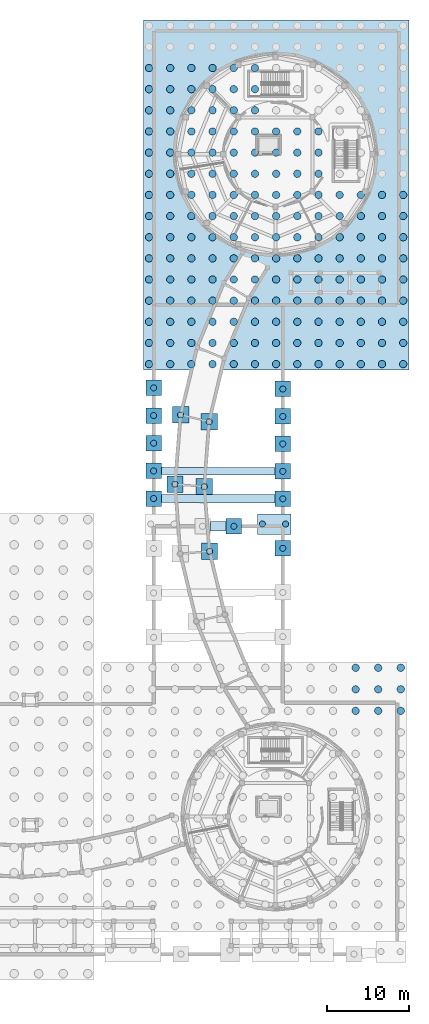
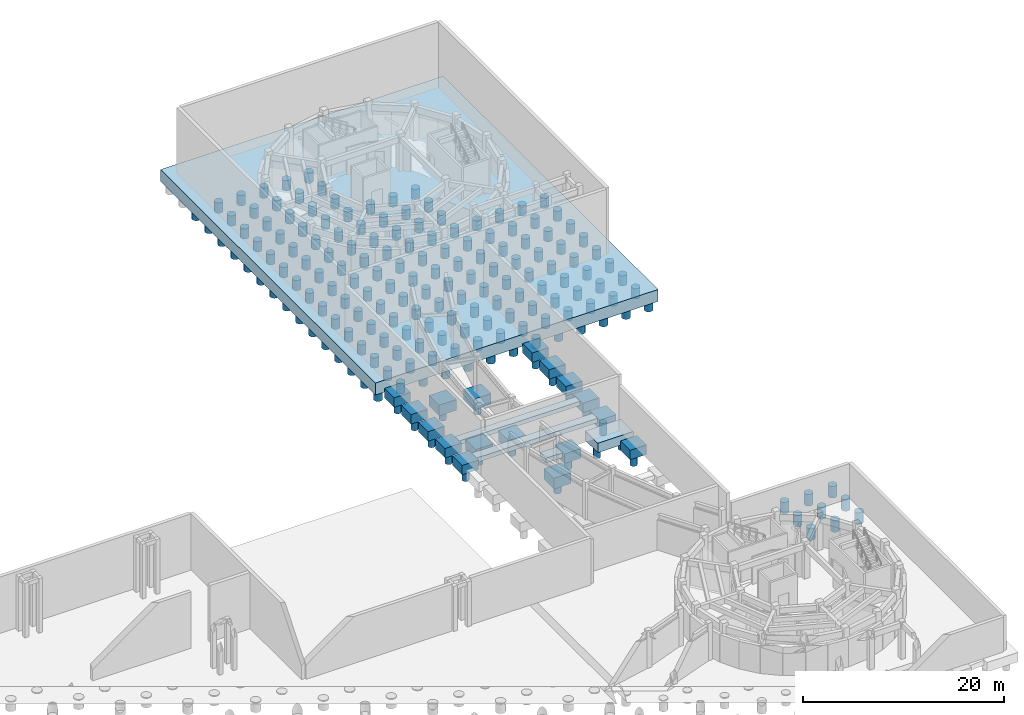
# One storey, part 7 of 57: 190 piles, 22 footings.
"""IFC4 building model written with IfcOpenShell, lengths in metres."""

from ifc_helpers import new_model, si_unit, direction, frame, origin, origin_2d, place, context, subcontext, project, spatial, rectangle, circle, extrude, material, material_profile, profile_set, type_object, element, save


model = new_model("IFC4")

# Units and contexts
model_context = context("Model", 3, precision=1e-05, world=origin(), true_north=direction((0.0, 1.0)))
body_context = subcontext(model_context, "Body", "Model", "MODEL_VIEW")
ifc_project = project(units=[si_unit("LENGTHUNIT", "METRE"), si_unit("AREAUNIT", "SQUARE_METRE"), si_unit("VOLUMEUNIT", "CUBIC_METRE"), si_unit("PLANEANGLEUNIT", "RADIAN"), si_unit("MASSUNIT", "GRAM", prefix="KILO")], contexts=[model_context])

# Site, building, storey
site_placement = place(None, origin())
site = spatial("IfcSite", under=ifc_project, at=site_placement, CompositionType="ELEMENT")
building_placement = place(site_placement, origin())
building = spatial("IfcBuilding", under=site, at=building_placement, Name="Aldenvaro Health Centre", CompositionType="ELEMENT")
storey_placement = place(building_placement, frame((0.0, 0.0, -4.550048828125)))
storey = spatial("IfcBuildingStorey", under=building, at=storey_placement, Name="B1", CompositionType="ELEMENT", Elevation=-4.550048828125)

# Footings
ifc_material = material(Name="Concrete f'c 40 MPa", Category="concrete")
footing_type_1 = type_object("IfcFootingType", Name="FTG-PC-190x190x115", PredefinedType="PILE_CAP", material=ifc_material)
for number, where, z_axis, x_axis, name in (
    (1, (155.39990234375, 51.300048828125, -1.14990234375), (0.0, 0.0, 1.0), (1.0, 0.0, 0.0), "Pile Cap PC-20 #043"),
    (2, (155.39990234375, 57.35888671875, -1.14990234375), (0.0, 0.0, 1.0), (1.0, 0.0, 0.0), "Pile Cap PC-20 #068"),
    (3, (155.39990234375, 60.718994140625, -1.14990234375), (0.0, 0.0, 1.0), (1.0, 0.0, 0.0), "Pile Cap PC-20 #069"),
    (4, (155.39990234375, 64.0791015625, -1.14990234375), (0.0, 0.0, 1.0), (1.0, 0.0, 0.0), "Pile Cap PC-20 #070"),
    (5, (155.39990234375, 67.43798828125, -1.14990234375), (0.0, 0.0, 1.0), (1.0, 0.0, 0.0), "Pile Cap PC-20 #071"),
    (6, (155.39990234375, 70.797119140625, -1.14990234375), (0.0, 0.0, 1.0), (1.0, 0.0, 0.0), "Pile Cap PC-20 #072"),
    (7, (139.60009765625, 57.387939453125, -1.14990234375), (0.0, 0.0, 1.0), (1.0, 0.0, 0.0), "Pile Cap PC-20 #081"),
    (8, (139.60009765625, 60.77490234375, -1.14990234375), (0.0, 0.0, 1.0), (1.0, 0.0, 0.0), "Pile Cap PC-20 #082"),
    (9, (139.60009765625, 64.162109375, -1.14990234375), (0.0, 0.0, 1.0), (1.0, 0.0, 0.0), "Pile Cap PC-20 #083"),
    (10, (139.60009765625, 67.550048828125, -1.14990234375), (0.0, 0.0, 1.0), (1.0, 0.0, 0.0), "Pile Cap PC-20 #084"),
    (11, (139.60009765625, 70.93798828125, -1.14990234375), (0.0, 0.0, 1.0), (1.0, 0.0, 0.0), "Pile Cap PC-20 #085"),
    (12, (149.4189453125, 54.0, -1.14990234375), (0.0, 0.0, 1.0), (1.0, 0.0, 0.0), "Pile Cap PC-20 #089"),
):
    element("IfcFooting", number, at=place(storey_placement, frame(where, z_axis=z_axis, x_axis=x_axis)), inside=storey, type_object=footing_type_1, Name=name, PredefinedType="PILE_CAP", context=body_context, shape_type="SweptSolid", body=[
        extrude(rectangle(XDim=1.89990234375, YDim=1.89990234375, at=origin_2d()), origin(), (0.0, 0.0, 1.0), 1.14990234375),
    ])
footing_type_2 = type_object("IfcFootingType", Name="FTG-PC-200x200x130", PredefinedType="PILE_CAP", material=ifc_material)
for number, where, z_axis, x_axis, name in (
    (13, (146.39599609375, 66.79296875, -1.2998046875), (0.0, 0.0, 1.0), (1.0, 0.0, 0.0), "Pile Cap PC-12 #027"),
    (14, (142.89599609375, 67.633056640625, -1.2998046875), (0.0, 0.0, 1.0), (1.0, 0.0, 0.0), "Pile Cap PC-12 #028"),
    (15, (145.7939453125, 58.85888671875, -1.2998046875), (0.0, 0.0, 1.0), (1.0, 0.0, 0.0), "Pile Cap PC-12 #029"),
    (16, (142.2060546875, 59.14111328125, -1.2998046875), (0.0, 0.0, 1.0), (1.0, 0.0, 0.0), "Pile Cap PC-12 #030"),
    (17, (146.43994140625, 50.927978515625, -1.2998046875), (0.0, 0.0, 1.0), (1.0, 0.0, 0.0), "Pile Cap PC-12 #031"),
):
    element("IfcFooting", number, at=place(storey_placement, frame(where, z_axis=z_axis, x_axis=x_axis)), inside=storey, type_object=footing_type_2, Name=name, PredefinedType="PILE_CAP", context=body_context, shape_type="SweptSolid", body=[
        extrude(rectangle(XDim=2.0, YDim=2.0, at=origin_2d()), origin(), (0.0, 0.0, 1.0), 1.300048828125),
    ])
footing_type_3 = type_object("IfcFootingType", Name="FTG-PC-3250x4280x145", PredefinedType="PILE_CAP", material=ifc_material)
footing_1_placement = place(storey_placement, frame((154.5830078125, 94.5400390625, -1.44970703125), z_axis=(0.0, 0.0, 1.0), x_axis=(1.0, 0.0, 0.0)))
element("IfcFooting", 18, at=footing_1_placement, inside=storey, type_object=footing_type_3, Name="Pile Cap PC-02 #002", PredefinedType="PILE_CAP", context=body_context, shape_type="SweptSolid", body=[
    extrude(rectangle(XDim=32.5, YDim=42.800048828125, at=origin_2d()), origin(), (0.0, 0.0, 1.0), 1.449951171875),
])
footing_type_4 = type_object("IfcFootingType", Name="FTG-PC-410x250x115", PredefinedType="PILE_CAP", material=ifc_material)
footing_2_placement = place(storey_placement, frame((154.3291015625, 54.26904296875, -1.14990234375), z_axis=(0.0, 0.0, 1.0), x_axis=(1.0, 0.0, 0.0)))
element("IfcFooting", 19, at=footing_2_placement, inside=storey, type_object=footing_type_4, Name="Pile Cap PC-23 #067", PredefinedType="PILE_CAP", context=body_context, shape_type="SweptSolid", body=[
    extrude(rectangle(XDim=4.10009765625, YDim=2.5, at=origin_2d()), origin(), (0.0, 0.0, 1.0), 1.14990234375),
])
ifc_material_profile_1 = material_profile(ifc_material, rectangle(XDim=1.0, YDim=0.550048828125, at=origin_2d()), Name="SF 1000x550", Category="concrete")
ifc_profile_set_1 = profile_set([ifc_material_profile_1], Name="Concrete f'c 40 MPa")
footing_type_5 = type_object("IfcFootingType", Name="FTG-SF-1000x550", PredefinedType="STRIP_FOOTING", material=ifc_profile_set_1)
footing_3_placement = place(storey_placement, frame((140.550048828125, 57.385986328125, -0.324951171875), z_axis=(0.999998395182, -0.001791545233, 0.0), x_axis=(0.001791545233, 0.999998395182, 0.0)))
element("IfcFooting", 20, at=footing_3_placement, inside=storey, type_object=footing_type_5, Name="Stepped Retaining Strip Footing SF-05", PredefinedType="STRIP_FOOTING", context=body_context, shape_type="SweptSolid", body=[
    extrude(rectangle(XDim=1.0, YDim=0.550048828125, at=origin_2d()), origin(), (0.0, 0.0, 1.0), 13.89990234375),
])
ifc_material_profile_2 = material_profile(ifc_material, rectangle(XDim=1.199951171875, YDim=0.60009765625, at=origin_2d()), Name="SF 1200x600", Category="concrete")
ifc_profile_set_2 = profile_set([ifc_material_profile_2], Name="Concrete f'c 40 MPa")
footing_type_6 = type_object("IfcFootingType", Name="FTG-SF-1200x600", PredefinedType="STRIP_FOOTING", material=ifc_profile_set_2)
footing_4_placement = place(storey_placement, frame((146.531005859375, 54.0, -0.349853515625), z_axis=(1.0, 0.0, 0.0), x_axis=(0.0, 1.0, 0.0)))
element("IfcFooting", 21, at=footing_4_placement, inside=storey, type_object=footing_type_6, Name="Stepped Retaining Strip Footing SF-04", PredefinedType="STRIP_FOOTING", context=body_context, shape_type="SweptSolid", body=[
    extrude(rectangle(XDim=1.199951171875, YDim=0.60009765625, at=origin_2d()), origin(), (0.0, 0.0, 1.0), 1.93798828125),
])
ifc_material_profile_3 = material_profile(ifc_material, rectangle(XDim=0.89990234375, YDim=0.5, at=origin_2d()), Name="SF 900x500", Category="concrete")
ifc_profile_set_3 = profile_set([ifc_material_profile_3], Name="Concrete f'c 40 MPa")
footing_type_7 = type_object("IfcFootingType", Name="FTG-SF-900x500", PredefinedType="STRIP_FOOTING", material=ifc_profile_set_3)
footing_5_placement = place(storey_placement, frame((154.449951171875, 60.721923828125, -0.300048828125), z_axis=(-0.999993517685, 0.003600637073, 0.0), x_axis=(-0.003600637073, -0.999993517685, 0.0)))
element("IfcFooting", 22, at=footing_5_placement, inside=storey, type_object=footing_type_7, Name="Stepped Retaining Strip Footing SF-06", PredefinedType="STRIP_FOOTING", context=body_context, shape_type="SweptSolid", body=[
    extrude(rectangle(XDim=0.89990234375, YDim=0.5, at=origin_2d()), origin(), (0.0, 0.0, 1.0), 13.89990234375),
])

# Piles
ifc_material_profile_4 = material_profile(ifc_material, circle(Radius=0.375, at=origin_2d()), Name="PILE D750", Category="concrete")
ifc_profile_set_4 = profile_set([ifc_material_profile_4], Name="Concrete f'c 40 MPa")
pile_type_1 = type_object("IfcPileType", Name="PILE-D750", PredefinedType="BORED", material=ifc_profile_set_4)
for number, where, z_axis, x_axis, name in (
    (23, (146.39599609375, 66.79296875, -1.199951171875), (0.0, 0.0, -1.0), (1.0, 0.0, 0.0), "Bored Pile BP-01 #1352"),
    (24, (142.89599609375, 67.633056640625, -1.199951171875), (0.0, 0.0, -1.0), (1.0, 0.0, 0.0), "Bored Pile BP-01 #1353"),
    (25, (145.7939453125, 58.85888671875, -1.199951171875), (0.0, 0.0, -1.0), (1.0, 0.0, 0.0), "Bored Pile BP-01 #1354"),
    (26, (142.2060546875, 59.14111328125, -1.199951171875), (0.0, 0.0, -1.0), (1.0, 0.0, 0.0), "Bored Pile BP-01 #1355"),
    (27, (146.43994140625, 50.927978515625, -1.199951171875), (0.0, 0.0, -1.0), (1.0, 0.0, 0.0), "Bored Pile BP-01 #1356"),
):
    element("IfcPile", number, at=place(storey_placement, frame(where, z_axis=z_axis, x_axis=x_axis)), inside=storey, type_object=pile_type_1, Name=name, PredefinedType="BORED", context=body_context, shape_type="SweptSolid", body=[
        extrude(circle(Radius=0.375, at=origin_2d()), origin(), (0.0, 0.0, 1.0), 1.39990234375),
    ])
for number, where, z_axis, x_axis, name in (
    (28, (155.39990234375, 51.300048828125, -1.050048828125), (0.0, 0.0, -1.0), (1.0, 0.0, 0.0), "Bored Pile BP-01 #1387"),
    (29, (152.904052734375, 54.26904296875, -1.050048828125), (0.0, 0.0, -1.0), (1.0, 0.0, 0.0), "Bored Pile BP-01 #1411"),
    (30, (155.75390625, 54.26904296875, -1.050048828125), (0.0, 0.0, -1.0), (1.0, 0.0, 0.0), "Bored Pile BP-01 #1412"),
    (31, (155.39990234375, 57.35888671875, -1.050048828125), (0.0, 0.0, -1.0), (1.0, 0.0, 0.0), "Bored Pile BP-01 #1413"),
    (32, (155.39990234375, 60.718994140625, -1.050048828125), (0.0, 0.0, -1.0), (1.0, 0.0, 0.0), "Bored Pile BP-01 #1414"),
    (33, (155.39990234375, 64.0791015625, -1.050048828125), (0.0, 0.0, -1.0), (1.0, 0.0, 0.0), "Bored Pile BP-01 #1415"),
    (34, (155.39990234375, 67.43798828125, -1.050048828125), (0.0, 0.0, -1.0), (1.0, 0.0, 0.0), "Bored Pile BP-01 #1416"),
    (35, (155.39990234375, 70.797119140625, -1.050048828125), (0.0, 0.0, -1.0), (1.0, 0.0, 0.0), "Bored Pile BP-01 #1417"),
    (36, (139.60009765625, 57.387939453125, -1.050048828125), (0.0, 0.0, -1.0), (1.0, 0.0, 0.0), "Bored Pile BP-01 #1427"),
    (37, (139.60009765625, 60.77490234375, -1.050048828125), (0.0, 0.0, -1.0), (1.0, 0.0, 0.0), "Bored Pile BP-01 #1428"),
    (38, (139.60009765625, 64.162109375, -1.050048828125), (0.0, 0.0, -1.0), (1.0, 0.0, 0.0), "Bored Pile BP-01 #1429"),
    (39, (139.60009765625, 67.550048828125, -1.050048828125), (0.0, 0.0, -1.0), (1.0, 0.0, 0.0), "Bored Pile BP-01 #1430"),
    (40, (139.60009765625, 70.93798828125, -1.050048828125), (0.0, 0.0, -1.0), (1.0, 0.0, 0.0), "Bored Pile BP-01 #1431"),
    (41, (149.4189453125, 54.0, -1.050048828125), (0.0, 0.0, -1.0), (1.0, 0.0, 0.0), "Bored Pile BP-01 #1435"),
):
    element("IfcPile", number, at=place(storey_placement, frame(where, z_axis=z_axis, x_axis=x_axis)), inside=storey, type_object=pile_type_1, Name=name, PredefinedType="BORED", context=body_context, shape_type="SweptSolid", body=[
        extrude(circle(Radius=0.375, at=origin_2d()), origin(), (0.0, 0.0, 1.0), 1.550048828125),
    ])
ifc_material_profile_5 = material_profile(ifc_material, circle(Radius=0.449951171875, at=origin_2d()), Name="PILE D900", Category="concrete")
ifc_profile_set_5 = profile_set([ifc_material_profile_5], Name="Concrete f'c 40 MPa")
pile_type_2 = type_object("IfcPileType", Name="PILE-D900", PredefinedType="BORED", material=ifc_profile_set_5)
for number, where, z_axis, x_axis, name in (
    (42, (139.032958984375, 73.840087890625, -1.349853515625), (0.0, 0.0, -1.0), (1.0, 0.0, 0.0), "Bored Pile BP-02 #0837"),
    (43, (139.032958984375, 76.427978515625, -1.349853515625), (0.0, 0.0, -1.0), (1.0, 0.0, 0.0), "Bored Pile BP-02 #0838"),
    (44, (139.032958984375, 79.014892578125, -1.349853515625), (0.0, 0.0, -1.0), (1.0, 0.0, 0.0), "Bored Pile BP-02 #0839"),
    (45, (139.032958984375, 81.60302734375, -1.349853515625), (0.0, 0.0, -1.0), (1.0, 0.0, 0.0), "Bored Pile BP-02 #0840"),
    (46, (139.032958984375, 84.18994140625, -1.349853515625), (0.0, 0.0, -1.0), (1.0, 0.0, 0.0), "Bored Pile BP-02 #0841"),
    (47, (139.032958984375, 86.778076171875, -1.349853515625), (0.0, 0.0, -1.0), (1.0, 0.0, 0.0), "Bored Pile BP-02 #0842"),
    (48, (139.032958984375, 89.364990234375, -1.349853515625), (0.0, 0.0, -1.0), (1.0, 0.0, 0.0), "Bored Pile BP-02 #0843"),
    (49, (139.032958984375, 91.952880859375, -1.349853515625), (0.0, 0.0, -1.0), (1.0, 0.0, 0.0), "Bored Pile BP-02 #0844"),
    (50, (139.032958984375, 94.5400390625, -1.349853515625), (0.0, 0.0, -1.0), (1.0, 0.0, 0.0), "Bored Pile BP-02 #0845"),
    (51, (139.032958984375, 97.126953125, -1.349853515625), (0.0, 0.0, -1.0), (1.0, 0.0, 0.0), "Bored Pile BP-02 #0846"),
    (52, (139.032958984375, 99.715087890625, -1.349853515625), (0.0, 0.0, -1.0), (1.0, 0.0, 0.0), "Bored Pile BP-02 #0847"),
    (53, (139.032958984375, 102.302978515625, -1.349853515625), (0.0, 0.0, -1.0), (1.0, 0.0, 0.0), "Bored Pile BP-02 #0848"),
    (54, (139.032958984375, 104.889892578125, -1.349853515625), (0.0, 0.0, -1.0), (1.0, 0.0, 0.0), "Bored Pile BP-02 #0849"),
    (55, (139.032958984375, 107.47802734375, -1.349853515625), (0.0, 0.0, -1.0), (1.0, 0.0, 0.0), "Bored Pile BP-02 #0850"),
    (56, (139.032958984375, 110.06494140625, -1.349853515625), (0.0, 0.0, -1.0), (1.0, 0.0, 0.0), "Bored Pile BP-02 #0851"),
    (57, (141.625, 73.840087890625, -1.349853515625), (0.0, 0.0, -1.0), (1.0, 0.0, 0.0), "Bored Pile BP-02 #0854"),
    (58, (141.625, 76.427978515625, -1.349853515625), (0.0, 0.0, -1.0), (1.0, 0.0, 0.0), "Bored Pile BP-02 #0855"),
    (59, (141.625, 79.014892578125, -1.349853515625), (0.0, 0.0, -1.0), (1.0, 0.0, 0.0), "Bored Pile BP-02 #0856"),
    (60, (141.625, 81.60302734375, -1.349853515625), (0.0, 0.0, -1.0), (1.0, 0.0, 0.0), "Bored Pile BP-02 #0857"),
    (61, (141.625, 84.18994140625, -1.349853515625), (0.0, 0.0, -1.0), (1.0, 0.0, 0.0), "Bored Pile BP-02 #0858"),
    (62, (141.625, 86.778076171875, -1.349853515625), (0.0, 0.0, -1.0), (1.0, 0.0, 0.0), "Bored Pile BP-02 #0859"),
    (63, (141.625, 89.364990234375, -1.349853515625), (0.0, 0.0, -1.0), (1.0, 0.0, 0.0), "Bored Pile BP-02 #0860"),
    (64, (141.625, 91.952880859375, -1.349853515625), (0.0, 0.0, -1.0), (1.0, 0.0, 0.0), "Bored Pile BP-02 #0861"),
    (65, (141.625, 94.5400390625, -1.349853515625), (0.0, 0.0, -1.0), (1.0, 0.0, 0.0), "Bored Pile BP-02 #0862"),
    (66, (141.625, 97.126953125, -1.349853515625), (0.0, 0.0, -1.0), (1.0, 0.0, 0.0), "Bored Pile BP-02 #0863"),
    (67, (141.625, 99.715087890625, -1.349853515625), (0.0, 0.0, -1.0), (1.0, 0.0, 0.0), "Bored Pile BP-02 #0864"),
    (68, (141.625, 102.302978515625, -1.349853515625), (0.0, 0.0, -1.0), (1.0, 0.0, 0.0), "Bored Pile BP-02 #0865"),
    (69, (141.625, 104.889892578125, -1.349853515625), (0.0, 0.0, -1.0), (1.0, 0.0, 0.0), "Bored Pile BP-02 #0866"),
    (70, (141.625, 107.47802734375, -1.349853515625), (0.0, 0.0, -1.0), (1.0, 0.0, 0.0), "Bored Pile BP-02 #0867"),
    (71, (141.625, 110.06494140625, -1.349853515625), (0.0, 0.0, -1.0), (1.0, 0.0, 0.0), "Bored Pile BP-02 #0868"),
    (72, (144.216064453125, 73.840087890625, -1.349853515625), (0.0, 0.0, -1.0), (1.0, 0.0, 0.0), "Bored Pile BP-02 #0871"),
    (73, (144.216064453125, 76.427978515625, -1.349853515625), (0.0, 0.0, -1.0), (1.0, 0.0, 0.0), "Bored Pile BP-02 #0872"),
    (74, (144.216064453125, 79.014892578125, -1.349853515625), (0.0, 0.0, -1.0), (1.0, 0.0, 0.0), "Bored Pile BP-02 #0873"),
    (75, (144.216064453125, 81.60302734375, -1.349853515625), (0.0, 0.0, -1.0), (1.0, 0.0, 0.0), "Bored Pile BP-02 #0874"),
    (76, (144.216064453125, 84.18994140625, -1.349853515625), (0.0, 0.0, -1.0), (1.0, 0.0, 0.0), "Bored Pile BP-02 #0875"),
    (77, (144.216064453125, 86.778076171875, -1.349853515625), (0.0, 0.0, -1.0), (1.0, 0.0, 0.0), "Bored Pile BP-02 #0876"),
    (78, (144.216064453125, 89.364990234375, -1.349853515625), (0.0, 0.0, -1.0), (1.0, 0.0, 0.0), "Bored Pile BP-02 #0877"),
    (79, (144.216064453125, 91.952880859375, -1.349853515625), (0.0, 0.0, -1.0), (1.0, 0.0, 0.0), "Bored Pile BP-02 #0878"),
    (80, (144.216064453125, 94.5400390625, -1.349853515625), (0.0, 0.0, -1.0), (1.0, 0.0, 0.0), "Bored Pile BP-02 #0879"),
    (81, (144.216064453125, 97.126953125, -1.349853515625), (0.0, 0.0, -1.0), (1.0, 0.0, 0.0), "Bored Pile BP-02 #0880"),
    (82, (144.216064453125, 99.715087890625, -1.349853515625), (0.0, 0.0, -1.0), (1.0, 0.0, 0.0), "Bored Pile BP-02 #0881"),
    (83, (144.216064453125, 102.302978515625, -1.349853515625), (0.0, 0.0, -1.0), (1.0, 0.0, 0.0), "Bored Pile BP-02 #0882"),
    (84, (144.216064453125, 104.889892578125, -1.349853515625), (0.0, 0.0, -1.0), (1.0, 0.0, 0.0), "Bored Pile BP-02 #0883"),
    (85, (144.216064453125, 107.47802734375, -1.349853515625), (0.0, 0.0, -1.0), (1.0, 0.0, 0.0), "Bored Pile BP-02 #0884"),
    (86, (144.216064453125, 110.06494140625, -1.349853515625), (0.0, 0.0, -1.0), (1.0, 0.0, 0.0), "Bored Pile BP-02 #0885"),
    (87, (146.80810546875, 73.840087890625, -1.349853515625), (0.0, 0.0, -1.0), (1.0, 0.0, 0.0), "Bored Pile BP-02 #0888"),
    (88, (146.80810546875, 76.427978515625, -1.349853515625), (0.0, 0.0, -1.0), (1.0, 0.0, 0.0), "Bored Pile BP-02 #0889"),
    (89, (146.80810546875, 79.014892578125, -1.349853515625), (0.0, 0.0, -1.0), (1.0, 0.0, 0.0), "Bored Pile BP-02 #0890"),
    (90, (146.80810546875, 81.60302734375, -1.349853515625), (0.0, 0.0, -1.0), (1.0, 0.0, 0.0), "Bored Pile BP-02 #0891"),
    (91, (146.80810546875, 84.18994140625, -1.349853515625), (0.0, 0.0, -1.0), (1.0, 0.0, 0.0), "Bored Pile BP-02 #0892"),
    (92, (146.80810546875, 86.778076171875, -1.349853515625), (0.0, 0.0, -1.0), (1.0, 0.0, 0.0), "Bored Pile BP-02 #0893"),
    (93, (146.80810546875, 89.364990234375, -1.349853515625), (0.0, 0.0, -1.0), (1.0, 0.0, 0.0), "Bored Pile BP-02 #0894"),
    (94, (146.80810546875, 91.952880859375, -1.349853515625), (0.0, 0.0, -1.0), (1.0, 0.0, 0.0), "Bored Pile BP-02 #0895"),
    (95, (146.80810546875, 94.5400390625, -1.349853515625), (0.0, 0.0, -1.0), (1.0, 0.0, 0.0), "Bored Pile BP-02 #0896"),
    (96, (146.80810546875, 97.126953125, -1.349853515625), (0.0, 0.0, -1.0), (1.0, 0.0, 0.0), "Bored Pile BP-02 #0897"),
    (97, (146.80810546875, 99.715087890625, -1.349853515625), (0.0, 0.0, -1.0), (1.0, 0.0, 0.0), "Bored Pile BP-02 #0898"),
    (98, (146.80810546875, 102.302978515625, -1.349853515625), (0.0, 0.0, -1.0), (1.0, 0.0, 0.0), "Bored Pile BP-02 #0899"),
    (99, (146.80810546875, 104.889892578125, -1.349853515625), (0.0, 0.0, -1.0), (1.0, 0.0, 0.0), "Bored Pile BP-02 #0900"),
    (100, (146.80810546875, 107.47802734375, -1.349853515625), (0.0, 0.0, -1.0), (1.0, 0.0, 0.0), "Bored Pile BP-02 #0901"),
    (101, (146.80810546875, 110.06494140625, -1.349853515625), (0.0, 0.0, -1.0), (1.0, 0.0, 0.0), "Bored Pile BP-02 #0902"),
    (102, (149.39990234375, 73.840087890625, -1.349853515625), (0.0, 0.0, -1.0), (1.0, 0.0, 0.0), "Bored Pile BP-02 #0905"),
    (103, (149.39990234375, 76.427978515625, -1.349853515625), (0.0, 0.0, -1.0), (1.0, 0.0, 0.0), "Bored Pile BP-02 #0906"),
    (104, (149.39990234375, 79.014892578125, -1.349853515625), (0.0, 0.0, -1.0), (1.0, 0.0, 0.0), "Bored Pile BP-02 #0907"),
    (105, (149.39990234375, 81.60302734375, -1.349853515625), (0.0, 0.0, -1.0), (1.0, 0.0, 0.0), "Bored Pile BP-02 #0908"),
    (106, (149.39990234375, 84.18994140625, -1.349853515625), (0.0, 0.0, -1.0), (1.0, 0.0, 0.0), "Bored Pile BP-02 #0909"),
    (107, (149.39990234375, 86.778076171875, -1.349853515625), (0.0, 0.0, -1.0), (1.0, 0.0, 0.0), "Bored Pile BP-02 #0910"),
    (108, (149.39990234375, 89.364990234375, -1.349853515625), (0.0, 0.0, -1.0), (1.0, 0.0, 0.0), "Bored Pile BP-02 #0911"),
    (109, (149.39990234375, 91.952880859375, -1.349853515625), (0.0, 0.0, -1.0), (1.0, 0.0, 0.0), "Bored Pile BP-02 #0912"),
    (110, (149.39990234375, 94.5400390625, -1.349853515625), (0.0, 0.0, -1.0), (1.0, 0.0, 0.0), "Bored Pile BP-02 #0913"),
    (111, (149.39990234375, 97.126953125, -1.349853515625), (0.0, 0.0, -1.0), (1.0, 0.0, 0.0), "Bored Pile BP-02 #0914"),
    (112, (149.39990234375, 99.715087890625, -1.349853515625), (0.0, 0.0, -1.0), (1.0, 0.0, 0.0), "Bored Pile BP-02 #0915"),
    (113, (149.39990234375, 102.302978515625, -1.349853515625), (0.0, 0.0, -1.0), (1.0, 0.0, 0.0), "Bored Pile BP-02 #0916"),
    (114, (149.39990234375, 104.889892578125, -1.349853515625), (0.0, 0.0, -1.0), (1.0, 0.0, 0.0), "Bored Pile BP-02 #0917"),
    (115, (149.39990234375, 107.47802734375, -1.349853515625), (0.0, 0.0, -1.0), (1.0, 0.0, 0.0), "Bored Pile BP-02 #0918"),
    (116, (149.39990234375, 110.06494140625, -1.349853515625), (0.0, 0.0, -1.0), (1.0, 0.0, 0.0), "Bored Pile BP-02 #0919"),
    (117, (151.990966796875, 73.840087890625, -1.349853515625), (0.0, 0.0, -1.0), (1.0, 0.0, 0.0), "Bored Pile BP-02 #0922"),
    (118, (151.990966796875, 76.427978515625, -1.349853515625), (0.0, 0.0, -1.0), (1.0, 0.0, 0.0), "Bored Pile BP-02 #0923"),
    (119, (151.990966796875, 79.014892578125, -1.349853515625), (0.0, 0.0, -1.0), (1.0, 0.0, 0.0), "Bored Pile BP-02 #0924"),
    (120, (151.990966796875, 81.60302734375, -1.349853515625), (0.0, 0.0, -1.0), (1.0, 0.0, 0.0), "Bored Pile BP-02 #0925"),
    (121, (151.990966796875, 84.18994140625, -1.349853515625), (0.0, 0.0, -1.0), (1.0, 0.0, 0.0), "Bored Pile BP-02 #0926"),
    (122, (151.990966796875, 86.778076171875, -1.349853515625), (0.0, 0.0, -1.0), (1.0, 0.0, 0.0), "Bored Pile BP-02 #0927"),
    (123, (151.990966796875, 89.364990234375, -1.349853515625), (0.0, 0.0, -1.0), (1.0, 0.0, 0.0), "Bored Pile BP-02 #0928"),
    (124, (151.990966796875, 91.952880859375, -1.349853515625), (0.0, 0.0, -1.0), (1.0, 0.0, 0.0), "Bored Pile BP-02 #0929"),
    (125, (151.990966796875, 94.5400390625, -1.349853515625), (0.0, 0.0, -1.0), (1.0, 0.0, 0.0), "Bored Pile BP-02 #0930"),
    (126, (151.990966796875, 97.126953125, -1.349853515625), (0.0, 0.0, -1.0), (1.0, 0.0, 0.0), "Bored Pile BP-02 #0931"),
    (127, (151.990966796875, 99.715087890625, -1.349853515625), (0.0, 0.0, -1.0), (1.0, 0.0, 0.0), "Bored Pile BP-02 #0932"),
    (128, (151.990966796875, 102.302978515625, -1.349853515625), (0.0, 0.0, -1.0), (1.0, 0.0, 0.0), "Bored Pile BP-02 #0933"),
    (129, (151.990966796875, 104.889892578125, -1.349853515625), (0.0, 0.0, -1.0), (1.0, 0.0, 0.0), "Bored Pile BP-02 #0934"),
    (130, (151.990966796875, 107.47802734375, -1.349853515625), (0.0, 0.0, -1.0), (1.0, 0.0, 0.0), "Bored Pile BP-02 #0935"),
    (131, (151.990966796875, 110.06494140625, -1.349853515625), (0.0, 0.0, -1.0), (1.0, 0.0, 0.0), "Bored Pile BP-02 #0936"),
    (132, (154.5830078125, 73.840087890625, -1.349853515625), (0.0, 0.0, -1.0), (1.0, 0.0, 0.0), "Bored Pile BP-02 #0939"),
    (133, (154.5830078125, 76.427978515625, -1.349853515625), (0.0, 0.0, -1.0), (1.0, 0.0, 0.0), "Bored Pile BP-02 #0940"),
    (134, (154.5830078125, 79.014892578125, -1.349853515625), (0.0, 0.0, -1.0), (1.0, 0.0, 0.0), "Bored Pile BP-02 #0941"),
    (135, (154.5830078125, 81.60302734375, -1.349853515625), (0.0, 0.0, -1.0), (1.0, 0.0, 0.0), "Bored Pile BP-02 #0942"),
    (136, (154.5830078125, 84.18994140625, -1.349853515625), (0.0, 0.0, -1.0), (1.0, 0.0, 0.0), "Bored Pile BP-02 #0943"),
    (137, (154.5830078125, 86.778076171875, -1.349853515625), (0.0, 0.0, -1.0), (1.0, 0.0, 0.0), "Bored Pile BP-02 #0944"),
    (138, (154.5830078125, 89.364990234375, -1.349853515625), (0.0, 0.0, -1.0), (1.0, 0.0, 0.0), "Bored Pile BP-02 #0945"),
    (139, (154.5830078125, 91.952880859375, -1.349853515625), (0.0, 0.0, -1.0), (1.0, 0.0, 0.0), "Bored Pile BP-02 #0946"),
    (140, (154.5830078125, 94.5400390625, -1.349853515625), (0.0, 0.0, -1.0), (1.0, 0.0, 0.0), "Bored Pile BP-02 #0947"),
    (141, (154.5830078125, 97.126953125, -1.349853515625), (0.0, 0.0, -1.0), (1.0, 0.0, 0.0), "Bored Pile BP-02 #0948"),
    (142, (154.5830078125, 99.715087890625, -1.349853515625), (0.0, 0.0, -1.0), (1.0, 0.0, 0.0), "Bored Pile BP-02 #0949"),
    (143, (154.5830078125, 102.302978515625, -1.349853515625), (0.0, 0.0, -1.0), (1.0, 0.0, 0.0), "Bored Pile BP-02 #0950"),
    (144, (157.175048828125, 73.840087890625, -1.349853515625), (0.0, 0.0, -1.0), (1.0, 0.0, 0.0), "Bored Pile BP-02 #0956"),
    (145, (157.175048828125, 76.427978515625, -1.349853515625), (0.0, 0.0, -1.0), (1.0, 0.0, 0.0), "Bored Pile BP-02 #0957"),
    (146, (157.175048828125, 79.014892578125, -1.349853515625), (0.0, 0.0, -1.0), (1.0, 0.0, 0.0), "Bored Pile BP-02 #0958"),
    (147, (157.175048828125, 81.60302734375, -1.349853515625), (0.0, 0.0, -1.0), (1.0, 0.0, 0.0), "Bored Pile BP-02 #0959"),
    (148, (157.175048828125, 84.18994140625, -1.349853515625), (0.0, 0.0, -1.0), (1.0, 0.0, 0.0), "Bored Pile BP-02 #0960"),
    (149, (157.175048828125, 86.778076171875, -1.349853515625), (0.0, 0.0, -1.0), (1.0, 0.0, 0.0), "Bored Pile BP-02 #0961"),
    (150, (157.175048828125, 89.364990234375, -1.349853515625), (0.0, 0.0, -1.0), (1.0, 0.0, 0.0), "Bored Pile BP-02 #0962"),
    (151, (157.175048828125, 91.952880859375, -1.349853515625), (0.0, 0.0, -1.0), (1.0, 0.0, 0.0), "Bored Pile BP-02 #0963"),
    (152, (157.175048828125, 94.5400390625, -1.349853515625), (0.0, 0.0, -1.0), (1.0, 0.0, 0.0), "Bored Pile BP-02 #0964"),
    (153, (157.175048828125, 97.126953125, -1.349853515625), (0.0, 0.0, -1.0), (1.0, 0.0, 0.0), "Bored Pile BP-02 #0965"),
    (154, (157.175048828125, 99.715087890625, -1.349853515625), (0.0, 0.0, -1.0), (1.0, 0.0, 0.0), "Bored Pile BP-02 #0966"),
    (155, (157.175048828125, 102.302978515625, -1.349853515625), (0.0, 0.0, -1.0), (1.0, 0.0, 0.0), "Bored Pile BP-02 #0967"),
    (156, (159.76611328125, 73.840087890625, -1.349853515625), (0.0, 0.0, -1.0), (1.0, 0.0, 0.0), "Bored Pile BP-02 #0973"),
    (157, (159.76611328125, 76.427978515625, -1.349853515625), (0.0, 0.0, -1.0), (1.0, 0.0, 0.0), "Bored Pile BP-02 #0974"),
    (158, (159.76611328125, 79.014892578125, -1.349853515625), (0.0, 0.0, -1.0), (1.0, 0.0, 0.0), "Bored Pile BP-02 #0975"),
    (159, (159.76611328125, 81.60302734375, -1.349853515625), (0.0, 0.0, -1.0), (1.0, 0.0, 0.0), "Bored Pile BP-02 #0976"),
    (160, (159.76611328125, 84.18994140625, -1.349853515625), (0.0, 0.0, -1.0), (1.0, 0.0, 0.0), "Bored Pile BP-02 #0977"),
    (161, (159.76611328125, 86.778076171875, -1.349853515625), (0.0, 0.0, -1.0), (1.0, 0.0, 0.0), "Bored Pile BP-02 #0978"),
    (162, (159.76611328125, 89.364990234375, -1.349853515625), (0.0, 0.0, -1.0), (1.0, 0.0, 0.0), "Bored Pile BP-02 #0979"),
    (163, (159.76611328125, 91.952880859375, -1.349853515625), (0.0, 0.0, -1.0), (1.0, 0.0, 0.0), "Bored Pile BP-02 #0980"),
    (164, (159.76611328125, 94.5400390625, -1.349853515625), (0.0, 0.0, -1.0), (1.0, 0.0, 0.0), "Bored Pile BP-02 #0981"),
    (165, (159.76611328125, 97.126953125, -1.349853515625), (0.0, 0.0, -1.0), (1.0, 0.0, 0.0), "Bored Pile BP-02 #0982"),
    (166, (159.76611328125, 99.715087890625, -1.349853515625), (0.0, 0.0, -1.0), (1.0, 0.0, 0.0), "Bored Pile BP-02 #0983"),
    (167, (159.76611328125, 102.302978515625, -1.349853515625), (0.0, 0.0, -1.0), (1.0, 0.0, 0.0), "Bored Pile BP-02 #0984"),
    (168, (162.35791015625, 73.840087890625, -1.349853515625), (0.0, 0.0, -1.0), (1.0, 0.0, 0.0), "Bored Pile BP-02 #0990"),
    (169, (162.35791015625, 76.427978515625, -1.349853515625), (0.0, 0.0, -1.0), (1.0, 0.0, 0.0), "Bored Pile BP-02 #0991"),
    (170, (162.35791015625, 79.014892578125, -1.349853515625), (0.0, 0.0, -1.0), (1.0, 0.0, 0.0), "Bored Pile BP-02 #0992"),
    (171, (162.35791015625, 81.60302734375, -1.349853515625), (0.0, 0.0, -1.0), (1.0, 0.0, 0.0), "Bored Pile BP-02 #0993"),
    (172, (162.35791015625, 84.18994140625, -1.349853515625), (0.0, 0.0, -1.0), (1.0, 0.0, 0.0), "Bored Pile BP-02 #0994"),
    (173, (162.35791015625, 86.778076171875, -1.349853515625), (0.0, 0.0, -1.0), (1.0, 0.0, 0.0), "Bored Pile BP-02 #0995"),
    (174, (162.35791015625, 89.364990234375, -1.349853515625), (0.0, 0.0, -1.0), (1.0, 0.0, 0.0), "Bored Pile BP-02 #0996"),
    (175, (162.35791015625, 91.952880859375, -1.349853515625), (0.0, 0.0, -1.0), (1.0, 0.0, 0.0), "Bored Pile BP-02 #0997"),
    (176, (162.35791015625, 94.5400390625, -1.349853515625), (0.0, 0.0, -1.0), (1.0, 0.0, 0.0), "Bored Pile BP-02 #0998"),
    (177, (164.949951171875, 73.840087890625, -1.349853515625), (0.0, 0.0, -1.0), (1.0, 0.0, 0.0), "Bored Pile BP-02 #1007"),
    (178, (164.949951171875, 76.427978515625, -1.349853515625), (0.0, 0.0, -1.0), (1.0, 0.0, 0.0), "Bored Pile BP-02 #1008"),
    (179, (164.949951171875, 79.014892578125, -1.349853515625), (0.0, 0.0, -1.0), (1.0, 0.0, 0.0), "Bored Pile BP-02 #1009"),
    (180, (164.949951171875, 81.60302734375, -1.349853515625), (0.0, 0.0, -1.0), (1.0, 0.0, 0.0), "Bored Pile BP-02 #1010"),
    (181, (164.949951171875, 84.18994140625, -1.349853515625), (0.0, 0.0, -1.0), (1.0, 0.0, 0.0), "Bored Pile BP-02 #1011"),
    (182, (164.949951171875, 86.778076171875, -1.349853515625), (0.0, 0.0, -1.0), (1.0, 0.0, 0.0), "Bored Pile BP-02 #1012"),
    (183, (164.949951171875, 89.364990234375, -1.349853515625), (0.0, 0.0, -1.0), (1.0, 0.0, 0.0), "Bored Pile BP-02 #1013"),
    (184, (164.949951171875, 91.952880859375, -1.349853515625), (0.0, 0.0, -1.0), (1.0, 0.0, 0.0), "Bored Pile BP-02 #1014"),
    (185, (164.949951171875, 94.5400390625, -1.349853515625), (0.0, 0.0, -1.0), (1.0, 0.0, 0.0), "Bored Pile BP-02 #1015"),
    (186, (167.541015625, 73.840087890625, -1.349853515625), (0.0, 0.0, -1.0), (1.0, 0.0, 0.0), "Bored Pile BP-02 #1024"),
    (187, (167.541015625, 76.427978515625, -1.349853515625), (0.0, 0.0, -1.0), (1.0, 0.0, 0.0), "Bored Pile BP-02 #1025"),
    (188, (167.541015625, 79.014892578125, -1.349853515625), (0.0, 0.0, -1.0), (1.0, 0.0, 0.0), "Bored Pile BP-02 #1026"),
    (189, (167.541015625, 81.60302734375, -1.349853515625), (0.0, 0.0, -1.0), (1.0, 0.0, 0.0), "Bored Pile BP-02 #1027"),
    (190, (167.541015625, 84.18994140625, -1.349853515625), (0.0, 0.0, -1.0), (1.0, 0.0, 0.0), "Bored Pile BP-02 #1028"),
    (191, (167.541015625, 86.778076171875, -1.349853515625), (0.0, 0.0, -1.0), (1.0, 0.0, 0.0), "Bored Pile BP-02 #1029"),
    (192, (167.541015625, 89.364990234375, -1.349853515625), (0.0, 0.0, -1.0), (1.0, 0.0, 0.0), "Bored Pile BP-02 #1030"),
    (193, (167.541015625, 91.952880859375, -1.349853515625), (0.0, 0.0, -1.0), (1.0, 0.0, 0.0), "Bored Pile BP-02 #1031"),
    (194, (167.541015625, 94.5400390625, -1.349853515625), (0.0, 0.0, -1.0), (1.0, 0.0, 0.0), "Bored Pile BP-02 #1032"),
    (195, (170.133056640625, 73.840087890625, -1.349853515625), (0.0, 0.0, -1.0), (1.0, 0.0, 0.0), "Bored Pile BP-02 #1041"),
    (196, (170.133056640625, 76.427978515625, -1.349853515625), (0.0, 0.0, -1.0), (1.0, 0.0, 0.0), "Bored Pile BP-02 #1042"),
    (197, (170.133056640625, 79.014892578125, -1.349853515625), (0.0, 0.0, -1.0), (1.0, 0.0, 0.0), "Bored Pile BP-02 #1043"),
    (198, (170.133056640625, 81.60302734375, -1.349853515625), (0.0, 0.0, -1.0), (1.0, 0.0, 0.0), "Bored Pile BP-02 #1044"),
    (199, (170.133056640625, 84.18994140625, -1.349853515625), (0.0, 0.0, -1.0), (1.0, 0.0, 0.0), "Bored Pile BP-02 #1045"),
    (200, (170.133056640625, 86.778076171875, -1.349853515625), (0.0, 0.0, -1.0), (1.0, 0.0, 0.0), "Bored Pile BP-02 #1046"),
    (201, (170.133056640625, 89.364990234375, -1.349853515625), (0.0, 0.0, -1.0), (1.0, 0.0, 0.0), "Bored Pile BP-02 #1047"),
    (202, (170.133056640625, 91.952880859375, -1.349853515625), (0.0, 0.0, -1.0), (1.0, 0.0, 0.0), "Bored Pile BP-02 #1048"),
    (203, (170.133056640625, 94.5400390625, -1.349853515625), (0.0, 0.0, -1.0), (1.0, 0.0, 0.0), "Bored Pile BP-02 #1049"),
):
    element("IfcPile", number, at=place(storey_placement, frame(where, z_axis=z_axis, x_axis=x_axis)), inside=storey, type_object=pile_type_2, Name=name, PredefinedType="BORED", context=body_context, shape_type="SweptSolid", body=[
        extrude(circle(Radius=0.449951171875, at=origin_2d()), origin(), (0.0, 0.0, 1.0), 1.25),
    ])
for number, where, z_axis, x_axis, name in (
    (204, (164.31005859375, 31.4169921875, -1.199951171875), (0.0, 0.0, -1.0), (1.0, 0.0, 0.0), "Bored Pile BP-02 #1282"),
    (205, (164.31005859375, 34.051025390625, -1.199951171875), (0.0, 0.0, -1.0), (1.0, 0.0, 0.0), "Bored Pile BP-02 #1283"),
    (206, (164.31005859375, 36.68408203125, -1.199951171875), (0.0, 0.0, -1.0), (1.0, 0.0, 0.0), "Bored Pile BP-02 #1284"),
    (207, (167.071044921875, 31.4169921875, -1.199951171875), (0.0, 0.0, -1.0), (1.0, 0.0, 0.0), "Bored Pile BP-02 #1295"),
    (208, (167.071044921875, 34.051025390625, -1.199951171875), (0.0, 0.0, -1.0), (1.0, 0.0, 0.0), "Bored Pile BP-02 #1296"),
    (209, (167.071044921875, 36.68408203125, -1.199951171875), (0.0, 0.0, -1.0), (1.0, 0.0, 0.0), "Bored Pile BP-02 #1297"),
    (210, (169.8330078125, 31.4169921875, -1.199951171875), (0.0, 0.0, -1.0), (1.0, 0.0, 0.0), "Bored Pile BP-02 #1308"),
    (211, (169.8330078125, 34.051025390625, -1.199951171875), (0.0, 0.0, -1.0), (1.0, 0.0, 0.0), "Bored Pile BP-02 #1309"),
    (212, (169.8330078125, 36.68408203125, -1.199951171875), (0.0, 0.0, -1.0), (1.0, 0.0, 0.0), "Bored Pile BP-02 #1310"),
):
    element("IfcPile", number, at=place(storey_placement, frame(where, z_axis=z_axis, x_axis=x_axis)), inside=storey, type_object=pile_type_2, Name=name, PredefinedType="BORED", context=body_context, shape_type="SweptSolid", body=[
        extrude(circle(Radius=0.449951171875, at=origin_2d()), origin(), (0.0, 0.0, 1.0), 1.39990234375),
    ])

save(model, "model.ifc")
